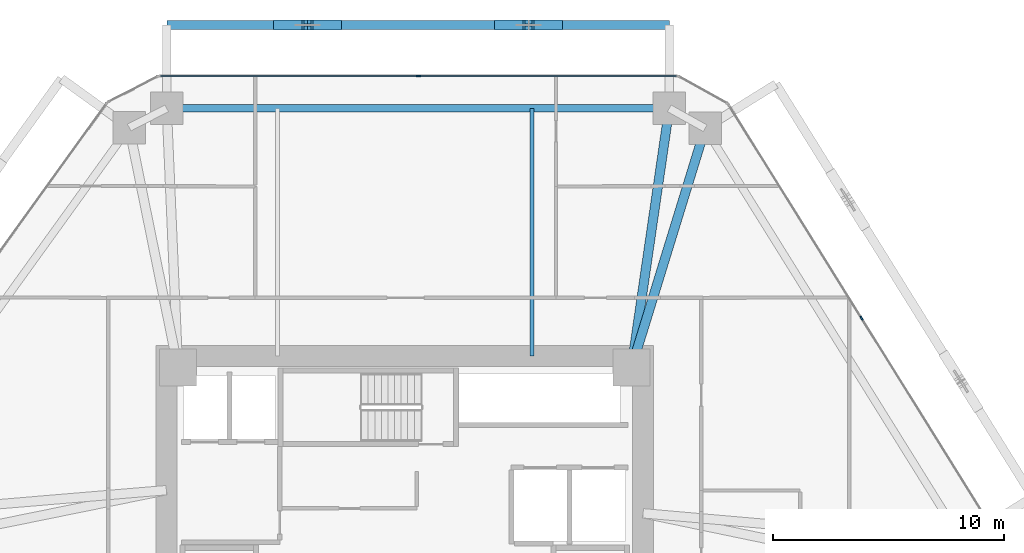
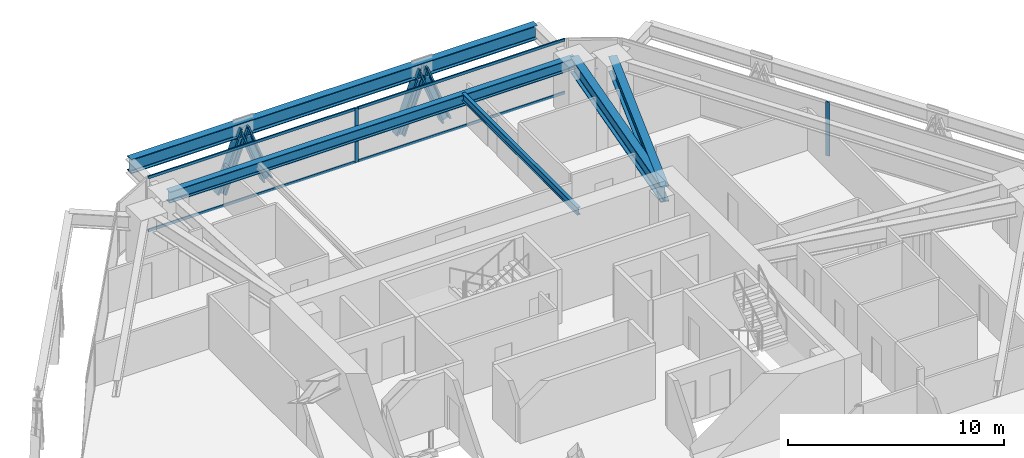
# One storey, part 8 of 17: 10 members, 5 beams, 2 elements without a shape of their own.
"""IFC4 building model written with IfcOpenShell, lengths in metres."""

from ifc_helpers import new_model, si_unit, direction, frame, origin, origin_2d, place, context, subcontext, project, spatial, rectangle, i_section, extrude, source, transform, mapped, material, layer, layer_set, material_profile, profile_set, type_object, type_shapes, element, aggregate, save


model = new_model("IFC4")

# Units and contexts
model_context = context("Model", 3, precision=1e-05, world=origin(), true_north=direction((0.0, 1.0)))
body_context = subcontext(model_context, "Body", "Model", "MODEL_VIEW")
ifc_project = project(units=[si_unit("LENGTHUNIT", "METRE"), si_unit("AREAUNIT", "SQUARE_METRE"), si_unit("VOLUMEUNIT", "CUBIC_METRE"), si_unit("PLANEANGLEUNIT", "RADIAN"), si_unit("MASSUNIT", "GRAM", prefix="KILO")], contexts=[model_context])

# Site, building, storey
site_placement = place(None, origin())
site = spatial("IfcSite", under=ifc_project, at=site_placement, CompositionType="ELEMENT")
building_placement = place(site_placement, origin())
building = spatial("IfcBuilding", under=site, at=building_placement, Name="Durnholm Broadcast Tower", CompositionType="ELEMENT")
storey_placement = place(building_placement, frame((0.0, 0.0, 58.800048828125)))
storey = spatial("IfcBuildingStorey", under=building, at=storey_placement, Name="L14", CompositionType="ELEMENT", Elevation=58.800048828125)

# Beams
ifc_material_1 = material(Name="Steel ASTM A992 Grade 50", Category="steel")
ifc_material_profile_1 = material_profile(ifc_material_1, i_section(OverallWidth=0.3291015625, OverallDepth=0.635009765625, WebThickness=0.017822265625, FlangeThickness=0.031005859375, FilletRadius=0.02783203125, at=origin_2d()), Name="W24X162")
ifc_profile_set_1 = profile_set([ifc_material_profile_1], Name="Steel ASTM A992 Grade 50")
beam_type_1 = type_object("IfcBeamType", Name="STL-SP-W24X162", PredefinedType="SPANDREL", material=ifc_profile_set_1)
shared_shape_1 = source(origin(), body_context, "Body", "SweptSolid", [
    extrude(i_section(OverallWidth=0.3291015625, OverallDepth=0.635009765625, WebThickness=0.017822265625, FlangeThickness=0.031005859375, FilletRadius=0.02783203125, at=origin_2d()), origin(), (0.0, 0.0, 1.0), 21.7138671875),
])
type_shapes(beam_type_1, [shared_shape_1])
beam_1_placement = place(storey_placement, frame((-10.28271484375, 19.0, 2.7275390625), z_axis=(1.0, 0.0, 0.0), x_axis=(0.0, 1.0, 0.0)))
element("IfcBeam", 1, at=beam_1_placement, inside=storey, type_object=beam_type_1, Name="L14 perimeter spandrel girder 05", PredefinedType="SPANDREL", context=body_context, shape_type="MappedRepresentation", body=[
    mapped(shared_shape_1, transform((0.0, 0.0, 0.0), x_axis=(1.0, 0.0, 0.0), y_axis=(0.0, 1.0, 0.0), z_axis=(0.0, 0.0, 1.0), scale=1.0)),
])
ifc_material_profile_2 = material_profile(ifc_material_1, i_section(OverallWidth=0.404052734375, OverallDepth=0.885009765625, WebThickness=0.0244140625, FlangeThickness=0.0439453125, FilletRadius=0.03564453125, at=origin_2d()), Name="W33X291")
ifc_profile_set_2 = profile_set([ifc_material_profile_2], Name="Steel ASTM A992 Grade 50")
beam_type_2 = type_object("IfcBeamType", Name="STL-GR-W33X291", PredefinedType="USERDEFINED", material=ifc_profile_set_2)
shared_shape_2 = source(origin(), body_context, "Body", "SweptSolid", [
    extrude(i_section(OverallWidth=0.404052734375, OverallDepth=0.885009765625, WebThickness=0.0244140625, FlangeThickness=0.0439453125, FilletRadius=0.03564453125, at=origin_2d()), origin(), (0.0, 0.0, 1.0), 11.318115234375),
])
beam_2_placement = place(storey_placement, frame((9.800048828125, 7.800048828125, 2.6025390625), z_axis=(0.144114595679, 0.989561005352, 0.0), x_axis=(-0.989561005352, 0.144114595679, 0.0)))
element("IfcBeam", 2, at=beam_2_placement, inside=storey, type_object=beam_type_2, Name="L14 radial primary floor girder 06", ObjectType="GIRDER", PredefinedType="USERDEFINED", context=body_context, shape_type="MappedRepresentation", body=[
    mapped(shared_shape_2, transform((0.0, 0.0, 0.0), x_axis=(1.0, 0.0, 0.0), y_axis=(0.0, 1.0, 0.0), z_axis=(0.0, 0.0, 1.0), scale=1.0)),
])
shared_shape_3 = source(origin(), body_context, "Body", "SweptSolid", [
    extrude(i_section(OverallWidth=0.404052734375, OverallDepth=0.885009765625, WebThickness=0.0244140625, FlangeThickness=0.0439453125, FilletRadius=0.03564453125, at=origin_2d()), origin(), (0.0, 0.0, 1.0), 10.817138671875),
])
type_shapes(beam_type_2, [shared_shape_2, shared_shape_3])
beam_3_placement = place(storey_placement, frame((9.800048828125, 7.800048828125, 2.6025390625), z_axis=(0.294219068418, 0.955738007918, 0.0), x_axis=(-0.955738007918, 0.294219068418, 0.0)))
element("IfcBeam", 3, at=beam_3_placement, inside=storey, type_object=beam_type_2, Name="L14 radial primary floor girder 07", ObjectType="GIRDER", PredefinedType="USERDEFINED", context=body_context, shape_type="MappedRepresentation", body=[
    mapped(shared_shape_3, transform((0.0, 0.0, 0.0), x_axis=(1.0, 0.0, 0.0), y_axis=(0.0, 1.0, 0.0), z_axis=(0.0, 0.0, 1.0), scale=1.0)),
])
ifc_material_profile_3 = material_profile(ifc_material_1, i_section(OverallWidth=0.180908203125, OverallDepth=0.417236328125, WebThickness=0.010986328125, FlangeThickness=0.018310546875, FilletRadius=0.01904296875, at=origin_2d()), Name="W16X57")
ifc_profile_set_3 = profile_set([ifc_material_profile_3], Name="Steel ASTM A992 Grade 50")
beam_type_3 = type_object("IfcBeamType", Name="STL-BJ-W16X57", PredefinedType="JOIST", material=ifc_profile_set_3)
shared_shape_4 = source(origin(), body_context, "Body", "SweptSolid", [
    extrude(i_section(OverallWidth=0.180908203125, OverallDepth=0.417236328125, WebThickness=0.010986328125, FlangeThickness=0.018310546875, FilletRadius=0.01904296875, at=origin_2d()), origin(), (0.0, 0.0, 1.0), 10.699951171875),
])
type_shapes(beam_type_3, [shared_shape_4])
beam_4_placement = place(storey_placement, frame((5.5, 8.300048828125, 2.83642578125), z_axis=(0.0, 1.0, 0.0), x_axis=(-1.0, 0.0, 0.0)))
element("IfcBeam", 4, at=beam_4_placement, inside=storey, type_object=beam_type_3, Name="L14 secondary floor joist 4.2", PredefinedType="JOIST", context=body_context, shape_type="MappedRepresentation", body=[
    mapped(shared_shape_4, transform((0.0, 0.0, 0.0), x_axis=(1.0, 0.0, 0.0), y_axis=(0.0, 1.0, 0.0), z_axis=(0.0, 0.0, 1.0), scale=1.0)),
])
ifc_material_profile_4 = material_profile(ifc_material_1, i_section(OverallWidth=0.385009765625, OverallDepth=0.802978515625, WebThickness=0.023681640625, FlangeThickness=0.0419921875, FilletRadius=0.032958984375, at=origin_2d()), Name="W30X261")
ifc_profile_set_4 = profile_set([ifc_material_profile_4], Name="Steel ASTM A992 Grade 50")
beam_type_4 = type_object("IfcBeamType", Name="BM-EXO-TIE", PredefinedType="USERDEFINED", material=ifc_profile_set_4)
shared_shape_5 = source(origin(), body_context, "Body", "SweptSolid", [
    extrude(i_section(OverallWidth=0.385009765625, OverallDepth=0.802978515625, WebThickness=0.023681640625, FlangeThickness=0.0419921875, FilletRadius=0.032958984375, at=origin_2d()), origin(), (0.0, 0.0, 1.0), 21.7138671875),
])
type_shapes(beam_type_4, [shared_shape_5])
beam_5_placement = place(storey_placement, frame((11.43115234375, 22.60009765625, 2.30859375), z_axis=(-1.0, 0.0, 0.0), x_axis=(0.0, -1.0, 0.0)))
element("IfcBeam", 5, at=beam_5_placement, inside=storey, type_object=beam_type_4, Name="L14 exoskeleton collector spandrel F4", PredefinedType="SPANDREL", context=body_context, shape_type="MappedRepresentation", body=[
    mapped(shared_shape_5, transform((0.0, 0.0, 0.0), x_axis=(1.0, 0.0, 0.0), y_axis=(0.0, 1.0, 0.0), z_axis=(0.0, 0.0, 1.0), scale=1.0)),
])

# Members
ifc_material_2 = material(Name="Steel ASTM A913 Grade 65", Category="steel")
ifc_material_profile_5 = material_profile(ifc_material_2, i_section(OverallWidth=0.43212890625, OverallDepth=0.497802734375, WebThickness=0.0556640625, FlangeThickness=0.0888671875, FilletRadius=0.030517578125, at=origin_2d()), Name="W14X500")
ifc_profile_set_5 = profile_set([ifc_material_profile_5], Name="Steel ASTM A913 Grade 65")
member_type_1 = type_object("IfcMemberType", Name="STL-DG-W14X500", PredefinedType="BRACE", material=ifc_profile_set_5)
shared_shape_6 = source(origin(), body_context, "Body", "SweptSolid", [
    extrude(i_section(OverallWidth=0.43212890625, OverallDepth=0.497802734375, WebThickness=0.0556640625, FlangeThickness=0.0888671875, FilletRadius=0.030517578125, at=origin_2d()), origin(), (0.0, 0.0, 1.0), 3.523193359375),
])
type_shapes(member_type_1, [shared_shape_6])
for number, where, z_axis, x_axis, name in (
    (6, (6.585205078125, 22.60009765625, -0.991455078125), (-0.350219588454, 0.0, 0.936667625075), (0.0, -1.0, 0.0), "L14 stand-off diagrid brace F4.D1.1"),
    (7, (4.117431640625, 22.60009765625, -0.991455078125), (0.350219588454, 0.0, 0.936667625075), (0.0, 1.0, 0.0), "L14 stand-off diagrid brace F4.D1.2"),
    (8, (-2.968994140625, 22.60009765625, -0.991455078125), (-0.350219588454, 0.0, 0.936667625075), (0.0, -1.0, 0.0), "L14 stand-off diagrid brace F4.D2.1"),
    (9, (-5.436767578125, 22.60009765625, -0.991455078125), (0.350219588454, 0.0, 0.936667625075), (0.0, 1.0, 0.0), "L14 stand-off diagrid brace F4.D2.2"),
):
    element("IfcMember", number, at=place(storey_placement, frame(where, z_axis=z_axis, x_axis=x_axis)), inside=storey, type_object=member_type_1, Name=name, PredefinedType="BRACE", context=body_context, shape_type="MappedRepresentation", body=[
        mapped(shared_shape_6, transform((0.0, 0.0, 0.0), x_axis=(1.0, 0.0, 0.0), y_axis=(0.0, 1.0, 0.0), z_axis=(0.0, 0.0, 1.0), scale=1.0)),
    ])

# Curtain wall, member
ifc_material_3 = material(Name="Aluminium and Solar Control IGU", Category="aluminium")
ifc_layer = layer(ifc_material_3, 0.18994140625)
ifc_layer_set = layer_set([ifc_layer], Name="Aluminium and Solar Control IGU")
curtain_wall_type = type_object("IfcCurtainWallType", Name="CW-SYS-3", PredefinedType="NOTDEFINED", material=ifc_layer_set)
curtain_wall_1_placement = place(storey_placement, origin())
curtain_wall_1 = element("IfcCurtainWall", 10, at=curtain_wall_1_placement, inside=storey, type_object=curtain_wall_type, Name="L14 curtain wall CW-Z12-VIS CW-L14-F04", PredefinedType="NOTDEFINED")
ifc_material_4 = material(Name="Aluminium 6063-T6", Category="aluminium")
ifc_material_profile_6 = material_profile(ifc_material_4, rectangle(XDim=0.070068359375, YDim=0.18994140625, at=origin_2d()), Name="CWM70X190")
ifc_profile_set_6 = profile_set([ifc_material_profile_6], Name="Aluminium 6063-T6")
member_type_2 = type_object("IfcMemberType", Name="CW-SYS-3-MUL", PredefinedType="MULLION", material=ifc_profile_set_6)
shared_shape_7 = source(origin(), body_context, "Body", "SweptSolid", [
    extrude(rectangle(XDim=0.070068359375, YDim=0.18994140625, at=origin_2d()), origin(), (0.0, 0.0, 1.0), 3.06005859375),
])
type_shapes(member_type_2, [shared_shape_7])
member_1_placement = place(storey_placement, frame((0.5869140625, 20.39990234375, 0.0), z_axis=(0.0, 0.0, 1.0), x_axis=(0.0, 1.0, 0.0)))
member_1 = element("IfcMember", 11, at=member_1_placement, type_object=member_type_2, Name="CW-Z12-VIS mullion 2", PredefinedType="MULLION", context=body_context, shape_type="MappedRepresentation", body=[
    mapped(shared_shape_7, transform((0.0, 0.0, 0.0), x_axis=(1.0, 0.0, 0.0), y_axis=(0.0, 1.0, 0.0), z_axis=(0.0, 0.0, 1.0), scale=1.0)),
])

curtain_wall_2_placement = place(storey_placement, origin())
curtain_wall_2 = element("IfcCurtainWall", 12, at=curtain_wall_2_placement, inside=storey, type_object=curtain_wall_type, Name="L14 curtain wall CW-Z12-VIS CW-L14-F06", PredefinedType="NOTDEFINED")
member_2_placement = place(storey_placement, frame((19.741943359375, 9.93212890625, 0.0), z_axis=(0.0, 0.0, 1.0), x_axis=(0.848875785503, 0.528592376777, 0.0)))
member_2 = element("IfcMember", 13, at=member_2_placement, type_object=member_type_2, Name="CW-Z12-VIS mullion 2", PredefinedType="MULLION", context=body_context, shape_type="MappedRepresentation", body=[
    mapped(shared_shape_7, transform((0.0, 0.0, 0.0), x_axis=(1.0, 0.0, 0.0), y_axis=(0.0, 1.0, 0.0), z_axis=(0.0, 0.0, 1.0), scale=1.0)),
])
aggregate(curtain_wall_2, [member_2])

# Member
ifc_material_profile_7 = material_profile(ifc_material_4, rectangle(XDim=0.070068359375, YDim=0.14990234375, at=origin_2d()), Name="CWT70X150")
ifc_profile_set_7 = profile_set([ifc_material_profile_7], Name="Aluminium 6063-T6")
member_type_3 = type_object("IfcMemberType", Name="CW-SYS-3-TRN", PredefinedType="USERDEFINED", material=ifc_profile_set_7)
shared_shape_8 = source(origin(), body_context, "Body", "SweptSolid", [
    extrude(rectangle(XDim=0.070068359375, YDim=0.14990234375, at=origin_2d()), origin(), (0.0, 0.0, 1.0), 11.10205078125),
])
type_shapes(member_type_3, [shared_shape_8])
member_3_placement = place(storey_placement, frame((-10.55029296875, 20.39990234375, 0.034912109375), z_axis=(1.0, 0.0, 0.0), x_axis=(0.0, 1.0, 0.0)))
member_3 = element("IfcMember", 14, at=member_3_placement, type_object=member_type_3, Name="CW-Z12-VIS transom 1.1", ObjectType="TRANSOM", PredefinedType="USERDEFINED", context=body_context, shape_type="MappedRepresentation", body=[
    mapped(shared_shape_8, transform((0.0, 0.0, 0.0), x_axis=(1.0, 0.0, 0.0), y_axis=(0.0, 1.0, 0.0), z_axis=(0.0, 0.0, 1.0), scale=1.0)),
])

member_4_placement = place(storey_placement, frame((-10.55029296875, 20.39990234375, 3.02490234375), z_axis=(1.0, 0.0, 0.0), x_axis=(0.0, 1.0, 0.0)))
member_4 = element("IfcMember", 15, at=member_4_placement, type_object=member_type_3, Name="CW-Z12-VIS transom 1.2", ObjectType="TRANSOM", PredefinedType="USERDEFINED", context=body_context, shape_type="MappedRepresentation", body=[
    mapped(shared_shape_8, transform((0.0, 0.0, 0.0), x_axis=(1.0, 0.0, 0.0), y_axis=(0.0, 1.0, 0.0), z_axis=(0.0, 0.0, 1.0), scale=1.0)),
])

member_5_placement = place(storey_placement, frame((0.621826171875, 20.39990234375, 0.034912109375), z_axis=(1.0, 0.0, 0.0), x_axis=(0.0, 1.0, 0.0)))
member_5 = element("IfcMember", 16, at=member_5_placement, type_object=member_type_3, Name="CW-Z12-VIS transom 2.1", ObjectType="TRANSOM", PredefinedType="USERDEFINED", context=body_context, shape_type="MappedRepresentation", body=[
    mapped(shared_shape_8, transform((0.0, 0.0, 0.0), x_axis=(1.0, 0.0, 0.0), y_axis=(0.0, 1.0, 0.0), z_axis=(0.0, 0.0, 1.0), scale=1.0)),
])

member_6_placement = place(storey_placement, frame((0.621826171875, 20.39990234375, 3.02490234375), z_axis=(1.0, 0.0, 0.0), x_axis=(0.0, 1.0, 0.0)))
member_6 = element("IfcMember", 17, at=member_6_placement, type_object=member_type_3, Name="CW-Z12-VIS transom 2.2", ObjectType="TRANSOM", PredefinedType="USERDEFINED", context=body_context, shape_type="MappedRepresentation", body=[
    mapped(shared_shape_8, transform((0.0, 0.0, 0.0), x_axis=(1.0, 0.0, 0.0), y_axis=(0.0, 1.0, 0.0), z_axis=(0.0, 0.0, 1.0), scale=1.0)),
])

aggregate(curtain_wall_1, [member_1, member_3, member_4, member_5, member_6])

save(model, "model.ifc")
